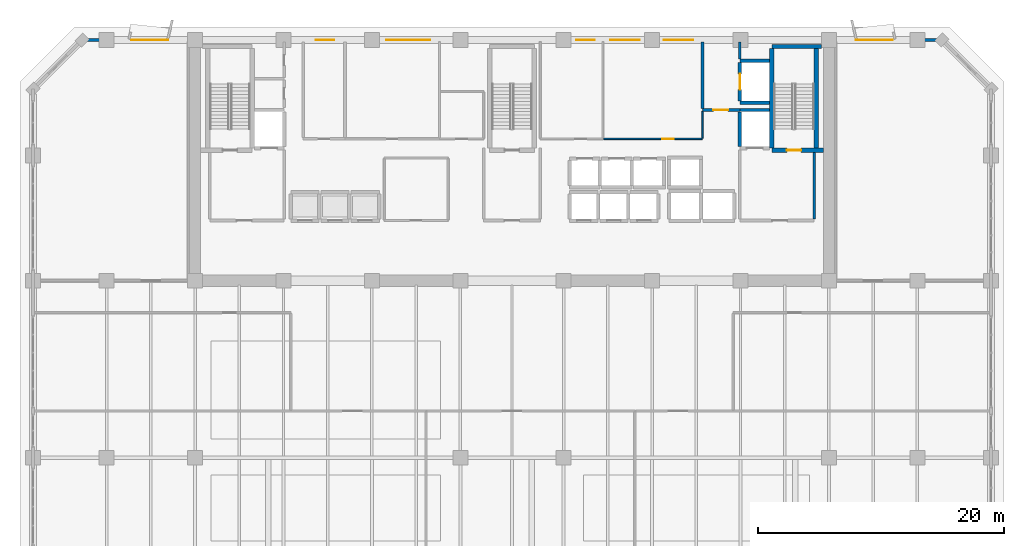
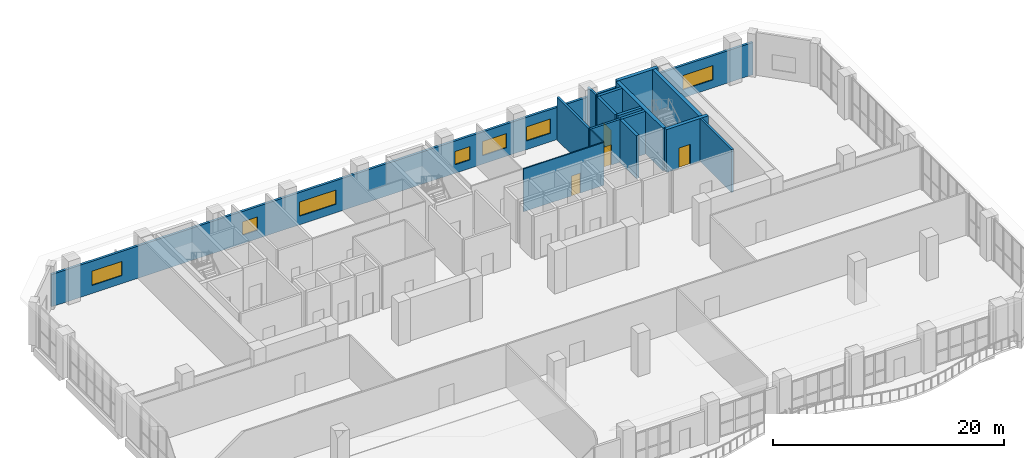
# One storey, part 32 of 37: 16 walls, 7 windows, 4 doors, 11 openings.
"""IFC4 building model written with IfcOpenShell, lengths in metres."""

from ifc_helpers import new_model, si_unit, direction, frame, frame_2d, origin, place, context, subcontext, project, spatial, rectangle, extrude, material, layer, layer_set, type_object, element, fill, save


model = new_model("IFC4")

# Units and contexts
model_context = context("Model", 3, precision=1e-05, world=origin(), true_north=direction((0.0, 1.0)))
body_context = subcontext(model_context, "Body", "Model", "MODEL_VIEW")
ifc_project = project(units=[si_unit("LENGTHUNIT", "METRE"), si_unit("AREAUNIT", "SQUARE_METRE"), si_unit("VOLUMEUNIT", "CUBIC_METRE"), si_unit("PLANEANGLEUNIT", "RADIAN"), si_unit("MASSUNIT", "GRAM", prefix="KILO")], contexts=[model_context])

# Site, building, storey
site_placement = place(None, origin())
site = spatial("IfcSite", under=ifc_project, at=site_placement, CompositionType="ELEMENT")
building_placement = place(site_placement, origin())
building = spatial("IfcBuilding", under=site, at=building_placement, Name="Kaelvorn Grand Hotel", CompositionType="ELEMENT")
storey_placement = place(building_placement, frame((0.0, 0.0, 224.35009765625)))
storey = spatial("IfcBuildingStorey", under=building, at=storey_placement, Name="L55", CompositionType="ELEMENT", Elevation=224.35009765625)

# Wall, openings, windows
ifc_material_1 = material(Name="Concrete C40/50", Category="concrete")
ifc_layer_1 = layer(ifc_material_1, 0.239990234375)
ifc_layer_set_1 = layer_set([ifc_layer_1], Name="Concrete C40/50")
wall_type_1 = type_object("IfcWallType", Name="WL-EXT-240-C40", PredefinedType="SOLIDWALL", material=ifc_layer_set_1)
wall_1_placement = place(storey_placement, frame((77.0, 49.0, 0.0), z_axis=(0.0, 0.0, 1.0), x_axis=(-1.0, 0.0, 0.0)))
wall_1 = element("IfcWall", 1, at=wall_1_placement, inside=storey, type_object=wall_type_1, Name="L55 Exterior Architectural Concrete Wall 05", PredefinedType="SOLIDWALL", context=body_context, shape_type="SweptSolid", body=[
    extrude(rectangle(XDim=70.0, YDim=0.239990234375, at=frame_2d((35.0, 0.0))), origin(), (0.0, 0.0, 1.0), 3.39990234375),
])
opening_1_placement = place(wall_1_placement, frame((62.97509765625, 0.0, 0.85009765625)))
opening_1 = element("IfcOpeningElement", 2, at=opening_1_placement, cuts=wall_1, Name="Opening W5", PredefinedType="OPENING", context=body_context, shape_type="SweptSolid", body=[
    extrude(rectangle(XDim=3.0, YDim=1.5, at=frame_2d((1.5, 0.75))), frame((0.0, 0.1298828125, 0.0), z_axis=(0.0, -1.0, 0.0), x_axis=(1.0, 0.0, 0.0)), (0.0, 0.0, 1.0), 0.260009765625),
])
opening_2_placement = place(wall_1_placement, frame((4.02490234375, 0.0, 0.85009765625)))
opening_2 = element("IfcOpeningElement", 3, at=opening_2_placement, cuts=wall_1, Name="Opening W5", PredefinedType="OPENING", context=body_context, shape_type="SweptSolid", body=[
    extrude(rectangle(XDim=3.0, YDim=1.5, at=frame_2d((1.5, 0.75))), frame((0.0, 0.1298828125, 0.0), z_axis=(0.0, -1.0, 0.0), x_axis=(1.0, 0.0, 0.0)), (0.0, 0.0, 1.0), 0.260009765625),
])
opening_3_placement = place(wall_1_placement, frame((49.465087890625, 0.0, 0.89990234375)))
opening_3 = element("IfcOpeningElement", 4, at=opening_3_placement, cuts=wall_1, Name="Opening W10", PredefinedType="OPENING", context=body_context, shape_type="SweptSolid", body=[
    extrude(rectangle(XDim=1.5, YDim=1.39990234375, at=frame_2d((0.75, 0.699951171875))), frame((0.0, 0.1298828125, 0.0), z_axis=(0.0, -1.0, 0.0), x_axis=(1.0, 0.0, 0.0)), (0.0, 0.0, 1.0), 0.260009765625),
])
opening_4_placement = place(wall_1_placement, frame((41.64990234375, 0.0, 0.89990234375)))
opening_4 = element("IfcOpeningElement", 5, at=opening_4_placement, cuts=wall_1, Name="Opening W3", PredefinedType="OPENING", context=body_context, shape_type="SweptSolid", body=[
    extrude(rectangle(XDim=3.60009765625, YDim=1.5, at=frame_2d((1.800048828125, 0.75))), frame((0.0, 0.1298828125, 0.0), z_axis=(0.0, -1.0, 0.0), x_axis=(1.0, 0.0, 0.0)), (0.0, 0.0, 1.0), 0.260009765625),
])
opening_5_placement = place(wall_1_placement, frame((28.25, 0.0, 0.89990234375)))
opening_5 = element("IfcOpeningElement", 6, at=opening_5_placement, cuts=wall_1, Name="Opening W10", PredefinedType="OPENING", context=body_context, shape_type="SweptSolid", body=[
    extrude(rectangle(XDim=1.5, YDim=1.39990234375, at=frame_2d((0.75, 0.699951171875))), frame((0.0, 0.1298828125, 0.0), z_axis=(0.0, -1.0, 0.0), x_axis=(1.0, 0.0, 0.0)), (0.0, 0.0, 1.0), 0.260009765625),
])
opening_6_placement = place(wall_1_placement, frame((24.60009765625, 0.0, 0.89990234375)))
opening_6 = element("IfcOpeningElement", 7, at=opening_6_placement, cuts=wall_1, Name="Opening W6", PredefinedType="OPENING", context=body_context, shape_type="SweptSolid", body=[
    extrude(rectangle(XDim=2.39990234375, YDim=1.5, at=frame_2d((1.199951171875, 0.75))), frame((0.0, 0.1298828125, 0.0), z_axis=(0.0, -1.0, 0.0), x_axis=(1.0, 0.0, 0.0)), (0.0, 0.0, 1.0), 0.260009765625),
])
opening_7_placement = place(wall_1_placement, frame((20.235107421875, 0.0, 0.89990234375)))
opening_7 = element("IfcOpeningElement", 8, at=opening_7_placement, cuts=wall_1, Name="Opening W6", PredefinedType="OPENING", context=body_context, shape_type="SweptSolid", body=[
    extrude(rectangle(XDim=2.39990234375, YDim=1.5, at=frame_2d((1.199951171875, 0.75))), frame((0.0, 0.1298828125, 0.0), z_axis=(0.0, -1.0, 0.0), x_axis=(1.0, 0.0, 0.0)), (0.0, 0.0, 1.0), 0.260009765625),
])
ifc_material_2 = material(Name="Laminated Low-E Glass", Category="glass")
window_type_1 = type_object("IfcWindowType", Name="WIN-COR-1500x1400", PartitioningType="SINGLE_PANEL", PredefinedType="WINDOW", material=ifc_material_2)
window_1_placement = place(opening_3_placement, origin())
window_1 = element("IfcWindow", 9, at=window_1_placement, inside=storey, type_object=window_type_1, Name="L55 North Core Clerestory Ribbon Window NC03", OverallHeight=1.39990234375, OverallWidth=1.5, PartitioningType="SINGLE_PANEL", PredefinedType="WINDOW", context=body_context, shape_type="SweptSolid", body=[
    extrude(rectangle(XDim=1.5, YDim=1.39990234375, at=frame_2d((0.75, 0.699951171875))), frame((0.0, 0.030029296875, 0.0), z_axis=(0.0, -1.0, 0.0), x_axis=(1.0, 0.0, 0.0)), (0.0, 0.0, 1.0), 0.06005859375),
])
fill(opening_3, window_1)
window_2_placement = place(opening_5_placement, origin())
window_2 = element("IfcWindow", 10, at=window_2_placement, inside=storey, type_object=window_type_1, Name="L55 North Core Clerestory Ribbon Window NC05", OverallHeight=1.39990234375, OverallWidth=1.5, PartitioningType="SINGLE_PANEL", PredefinedType="WINDOW", context=body_context, shape_type="SweptSolid", body=[
    extrude(rectangle(XDim=1.5, YDim=1.39990234375, at=frame_2d((0.75, 0.699951171875))), frame((0.0, 0.030029296875, 0.0), z_axis=(0.0, -1.0, 0.0), x_axis=(1.0, 0.0, 0.0)), (0.0, 0.0, 1.0), 0.06005859375),
])
fill(opening_5, window_2)
window_type_2 = type_object("IfcWindowType", Name="WIN-NTH-2400x1500", PartitioningType="SINGLE_PANEL", PredefinedType="WINDOW", material=ifc_material_2)
window_3_placement = place(opening_6_placement, origin())
window_3 = element("IfcWindow", 11, at=window_3_placement, inside=storey, type_object=window_type_2, Name="L55 North Core Clerestory Ribbon Window NC06", OverallHeight=1.5, OverallWidth=2.39990234375, PartitioningType="SINGLE_PANEL", PredefinedType="WINDOW", context=body_context, shape_type="SweptSolid", body=[
    extrude(rectangle(XDim=2.39990234375, YDim=1.5, at=frame_2d((1.199951171875, 0.75))), frame((0.0, 0.030029296875, 0.0), z_axis=(0.0, -1.0, 0.0), x_axis=(1.0, 0.0, 0.0)), (0.0, 0.0, 1.0), 0.06005859375),
])
fill(opening_6, window_3)
window_4_placement = place(opening_7_placement, origin())
window_4 = element("IfcWindow", 12, at=window_4_placement, inside=storey, type_object=window_type_2, Name="L55 North Core Clerestory Ribbon Window NC07", OverallHeight=1.5, OverallWidth=2.39990234375, PartitioningType="SINGLE_PANEL", PredefinedType="WINDOW", context=body_context, shape_type="SweptSolid", body=[
    extrude(rectangle(XDim=2.39990234375, YDim=1.5, at=frame_2d((1.199951171875, 0.75))), frame((0.0, 0.030029296875, 0.0), z_axis=(0.0, -1.0, 0.0), x_axis=(1.0, 0.0, 0.0)), (0.0, 0.0, 1.0), 0.06005859375),
])
fill(opening_7, window_4)
window_type_3 = type_object("IfcWindowType", Name="WIN-NTH-3000x1500", PartitioningType="SINGLE_PANEL", PredefinedType="WINDOW", material=ifc_material_2)
window_5_placement = place(opening_1_placement, origin())
window_5 = element("IfcWindow", 13, at=window_5_placement, inside=storey, type_object=window_type_3, Name="L55 North Wing Ribbon Window NW01", OverallHeight=1.5, OverallWidth=3.0, PartitioningType="SINGLE_PANEL", PredefinedType="WINDOW", context=body_context, shape_type="SweptSolid", body=[
    extrude(rectangle(XDim=3.0, YDim=1.5, at=frame_2d((1.5, 0.75))), frame((0.0, 0.030029296875, 0.0), z_axis=(0.0, -1.0, 0.0), x_axis=(1.0, 0.0, 0.0)), (0.0, 0.0, 1.0), 0.06005859375),
])
fill(opening_1, window_5)
window_6_placement = place(opening_2_placement, origin())
window_6 = element("IfcWindow", 14, at=window_6_placement, inside=storey, type_object=window_type_3, Name="L55 North Wing Ribbon Window NW02", OverallHeight=1.5, OverallWidth=3.0, PartitioningType="SINGLE_PANEL", PredefinedType="WINDOW", context=body_context, shape_type="SweptSolid", body=[
    extrude(rectangle(XDim=3.0, YDim=1.5, at=frame_2d((1.5, 0.75))), frame((0.0, 0.030029296875, 0.0), z_axis=(0.0, -1.0, 0.0), x_axis=(1.0, 0.0, 0.0)), (0.0, 0.0, 1.0), 0.06005859375),
])
fill(opening_2, window_6)
window_type_4 = type_object("IfcWindowType", Name="WIN-RIB-3600x1750", PartitioningType="SINGLE_PANEL", PredefinedType="WINDOW", material=ifc_material_2)
window_7_placement = place(opening_4_placement, origin())
window_7 = element("IfcWindow", 15, at=window_7_placement, inside=storey, type_object=window_type_4, Name="L55 North Core Clerestory Ribbon Window NC04", OverallHeight=1.5, OverallWidth=3.60009765625, PartitioningType="SINGLE_PANEL", PredefinedType="WINDOW", context=body_context, shape_type="SweptSolid", body=[
    extrude(rectangle(XDim=3.60009765625, YDim=1.5, at=frame_2d((1.800048828125, 0.75))), frame((0.0, 0.030029296875, 0.0), z_axis=(0.0, -1.0, 0.0), x_axis=(1.0, 0.0, 0.0)), (0.0, 0.0, 1.0), 0.06005859375),
])
fill(opening_4, window_7)

# Wall, opening, door
ifc_material_3 = material(Name="Moisture-Resistant Tile & Stud Board")
ifc_layer_2 = layer(ifc_material_3, 0.125)
ifc_layer_set_2 = layer_set([ifc_layer_2], Name="Moisture-Resistant Tile & Stud Board")
wall_type_2 = type_object("IfcWallType", Name="WL-PART-125-WET", PredefinedType="PARTITIONING", material=ifc_layer_set_2)
wall_2_placement = place(storey_placement, frame((49.467529296875, 40.949951171875, 0.0), z_axis=(0.0, 0.0, 1.0), x_axis=(1.0, 0.0, 0.0)))
wall_2 = element("IfcWall", 16, at=wall_2_placement, inside=storey, type_object=wall_type_2, Name="L55 Female Toilets S Partition", PredefinedType="PARTITIONING", context=body_context, shape_type="SweptSolid", body=[
    extrude(rectangle(XDim=8.032470703125, YDim=0.125, at=frame_2d((4.01611328125, 0.0))), origin(), (0.0, 0.0, 1.0), 4.52001953125),
])
opening_8_placement = place(wall_2_placement, frame((4.782470703125, 0.0, 0.0)))
opening_8 = element("IfcOpeningElement", 17, at=opening_8_placement, cuts=wall_2, Name="Opening DI4", PredefinedType="OPENING", context=body_context, shape_type="SweptSolid", body=[
    extrude(rectangle(XDim=0.89990234375, YDim=2.10009765625, at=frame_2d((0.449951171875, 1.050048828125))), frame((0.0, 0.072509765625, 0.0), z_axis=(0.0, -1.0, 0.0), x_axis=(1.0, 0.0, 0.0)), (0.0, 0.0, 1.0), 0.14501953125),
])
ifc_material_4 = material(Name="Timber Veneer Leaf", Category="wood")
door_type_1 = type_object("IfcDoorType", Name="DR-INT-BATH-900x2100", OperationType="NOTDEFINED", PredefinedType="DOOR", material=ifc_material_4)
door_1_placement = place(opening_8_placement, origin())
door_1 = element("IfcDoor", 18, at=door_1_placement, inside=storey, type_object=door_type_1, Name="L55 Female Toilets Door", OperationType="SINGLE_SWING_RIGHT", OverallHeight=2.10009765625, OverallWidth=0.89990234375, PredefinedType="DOOR", context=body_context, shape_type="SweptSolid", body=[
    extrude(rectangle(XDim=0.89990234375, YDim=2.10009765625, at=frame_2d((0.449951171875, 1.050048828125))), frame((0.0, 0.02490234375, 0.0), z_axis=(0.0, -1.0, 0.0), x_axis=(1.0, 0.0, 0.0)), (0.0, 0.0, 1.0), 0.050048828125),
])
fill(opening_8, door_1)

# Walls
wall_3_placement = place(storey_placement, frame((57.5, 41.017578125, 0.0), z_axis=(0.0, 0.0, 1.0), x_axis=(0.0, 1.0, 0.0)))
element("IfcWall", 19, at=wall_3_placement, inside=storey, type_object=wall_type_2, Name="L55 Female Toilets E Partition", PredefinedType="PARTITIONING", context=body_context, shape_type="SweptSolid", body=[
    extrude(rectangle(XDim=2.16748046875, YDim=0.125, at=frame_2d((1.083740234375, 0.0))), origin(), (0.0, 0.0, 1.0), 4.52001953125),
])
ifc_layer_3 = layer(ifc_material_1, 0.219970703125)
ifc_layer_set_3 = layer_set([ifc_layer_3], Name="Concrete C40/50")
wall_type_3 = type_object("IfcWallType", Name="WL-PART-220-EI120", PredefinedType="PARTITIONING", material=ifc_layer_set_3)
wall_4_placement = place(storey_placement, frame((66.60009765625, 34.4150390625, 0.0), z_axis=(0.0, 0.0, 1.0), x_axis=(0.0, 1.0, 0.0)))
element("IfcWall", 20, at=wall_4_placement, inside=storey, type_object=wall_type_3, Name="L55 Firefighting Lift Lobby 2 E Partition", PredefinedType="PARTITIONING", context=body_context, shape_type="SweptSolid", body=[
    extrude(rectangle(XDim=5.429931640625, YDim=0.219970703125, at=frame_2d((2.71484375, 0.0))), origin(), (0.0, 0.0, 1.0), 4.52001953125),
])

# Wall, opening, door
wall_5_placement = place(storey_placement, frame((57.5, 43.300048828125, 0.0), z_axis=(0.0, 0.0, 1.0), x_axis=(1.0, 0.0, 0.0)))
wall_5 = element("IfcWall", 21, at=wall_5_placement, inside=storey, type_object=wall_type_3, Name="L55 Service Lift Lobby S Partition", PredefinedType="PARTITIONING", context=body_context, shape_type="SweptSolid", body=[
    extrude(rectangle(XDim=3.0400390625, YDim=0.219970703125, at=frame_2d((1.52001953125, 0.0))), origin(), (0.0, 0.0, 1.0), 4.52001953125),
])
opening_9_placement = place(wall_5_placement, frame((0.89990234375, 0.0, 0.0)))
opening_9 = element("IfcOpeningElement", 22, at=opening_9_placement, cuts=wall_5, Name="Opening DI2", PredefinedType="OPENING", context=body_context, shape_type="SweptSolid", body=[
    extrude(rectangle(XDim=1.199951171875, YDim=2.14990234375, at=frame_2d((0.60009765625, 1.074951171875))), frame((0.0, 0.1201171875, 0.0), z_axis=(0.0, -1.0, 0.0), x_axis=(1.0, 0.0, 0.0)), (0.0, 0.0, 1.0), 0.239990234375),
])
ifc_material_5 = material(Name="Timber Veneer Fire Leaf", Category="wood")
door_type_2 = type_object("IfcDoorType", Name="DR-INT-FFLOB-1200x2150", OperationType="NOTDEFINED", PredefinedType="DOOR", material=ifc_material_5)
door_2_placement = place(opening_9_placement, origin())
door_2 = element("IfcDoor", 23, at=door_2_placement, inside=storey, type_object=door_type_2, Name="L55 Service Lift Lobby Door", OperationType="SINGLE_SWING_RIGHT", OverallHeight=2.14990234375, OverallWidth=1.199951171875, PredefinedType="DOOR", context=body_context, shape_type="SweptSolid", body=[
    extrude(rectangle(XDim=1.199951171875, YDim=2.14990234375, at=frame_2d((0.60009765625, 1.074951171875))), frame((0.0, 0.02490234375, 0.0), z_axis=(0.0, -1.0, 0.0), x_axis=(1.0, 0.0, 0.0)), (0.0, 0.0, 1.0), 0.050048828125),
])
fill(opening_9, door_2)

# Walls
wall_6_placement = place(storey_placement, frame((57.5, 43.4150390625, 0.0), z_axis=(0.0, 0.0, 1.0), x_axis=(0.0, 1.0, 0.0)))
element("IfcWall", 24, at=wall_6_placement, inside=storey, type_object=wall_type_3, Name="L55 Service Lift Lobby W Partition", PredefinedType="PARTITIONING", context=body_context, shape_type="SweptSolid", body=[
    extrude(rectangle(XDim=5.43505859375, YDim=0.219970703125, at=frame_2d((2.717529296875, 0.0))), origin(), (0.0, 0.0, 1.0), 4.52001953125),
])
wall_7_placement = place(storey_placement, frame((60.550048828125, 47.445068359375, 0.0), z_axis=(0.0, 0.0, 1.0), x_axis=(0.0, 1.0, 0.0)))
element("IfcWall", 25, at=wall_7_placement, inside=storey, type_object=wall_type_3, Name="L55 Service Lift Lobby E Partition", PredefinedType="PARTITIONING", context=body_context, shape_type="SweptSolid", body=[
    extrude(rectangle(XDim=1.405029296875, YDim=0.219970703125, at=frame_2d((0.70263671875, 0.0))), origin(), (0.0, 0.0, 1.0), 4.52001953125),
])
ifc_material_6 = material(Name="Concrete C50/60", Category="concrete")
ifc_layer_4 = layer(ifc_material_6, 0.280029296875)
ifc_layer_set_4 = layer_set([ifc_layer_4], Name="Concrete C50/60")
wall_type_4 = type_object("IfcWallType", Name="WL-SHAFT-280-C50", PredefinedType="SHEAR", material=ifc_layer_set_4)
wall_8_placement = place(storey_placement, frame((60.550048828125, 43.300048828125, 0.0), z_axis=(0.0, 0.0, 1.0), x_axis=(1.0, 0.0, 0.0)))
element("IfcWall", 26, at=wall_8_placement, inside=storey, type_object=wall_type_4, Name="L55 Lift FFL2 Shaft North Wall", PredefinedType="SHEAR", context=body_context, shape_type="SweptSolid", body=[
    extrude(rectangle(XDim=2.4150390625, YDim=0.280029296875, at=frame_2d((1.20751953125, 0.0))), origin(), (0.0, 0.0, 1.0), 4.52001953125),
])
wall_9_placement = place(storey_placement, frame((60.550048828125, 40.344970703125, 0.0), z_axis=(0.0, 0.0, 1.0), x_axis=(0.0, 1.0, 0.0)))
element("IfcWall", 27, at=wall_9_placement, inside=storey, type_object=wall_type_4, Name="L55 Lift FFL2 Shaft West Wall", PredefinedType="SHEAR", context=body_context, shape_type="SweptSolid", body=[
    extrude(rectangle(XDim=2.81005859375, YDim=0.280029296875, at=frame_2d((1.405029296875, 0.0))), origin(), (0.0, 0.0, 1.0), 4.52001953125),
])
for number, where, z_axis, x_axis, name in (
    (28, (60.550048828125, 43.89990234375, 0.0), (0.0, 0.0, 1.0), (1.0, 0.0, 0.0), "L55 Lift SV1 Shaft South Wall"),
    (29, (60.550048828125, 47.300048828125, 0.0), (0.0, 0.0, 1.0), (1.0, 0.0, 0.0), "L55 Lift SV1 Shaft North Wall"),
):
    element("IfcWall", number, at=place(storey_placement, frame(where, z_axis=z_axis, x_axis=x_axis)), inside=storey, type_object=wall_type_4, Name=name, PredefinedType="SHEAR", context=body_context, shape_type="SweptSolid", body=[
        extrude(rectangle(XDim=2.4150390625, YDim=0.280029296875, at=frame_2d((1.20751953125, 0.0))), origin(), (0.0, 0.0, 1.0), 4.52001953125),
    ])

# Wall, opening, door
wall_10_placement = place(storey_placement, frame((60.550048828125, 44.044921875, 0.0), z_axis=(0.0, 0.0, 1.0), x_axis=(0.0, 1.0, 0.0)))
wall_10 = element("IfcWall", 30, at=wall_10_placement, inside=storey, type_object=wall_type_4, Name="L55 Lift SV1 Shaft West Wall", PredefinedType="SHEAR", context=body_context, shape_type="SweptSolid", body=[
    extrude(rectangle(XDim=3.110107421875, YDim=0.280029296875, at=frame_2d((1.55517578125, 0.0))), origin(), (0.0, 0.0, 1.0), 4.52001953125),
])
opening_10_placement = place(wall_10_placement, frame((0.905029296875, 0.0, 0.0)))
opening_10 = element("IfcOpeningElement", 31, at=opening_10_placement, cuts=wall_10, Name="Opening LD-SV1", PredefinedType="OPENING", context=body_context, shape_type="SweptSolid", body=[
    extrude(rectangle(XDim=1.300048828125, YDim=2.300048828125, at=frame_2d((0.64990234375, 1.14990234375))), frame((0.0, 0.14990234375, 0.0), z_axis=(0.0, -1.0, 0.0), x_axis=(1.0, 0.0, 0.0)), (0.0, 0.0, 1.0), 0.300048828125),
])
ifc_material_7 = material(Name="Stainless Steel", Category="steel")
door_type_3 = type_object("IfcDoorType", Name="DR-LIFT-SERV-1300x2300", OperationType="DOUBLE_DOOR_SLIDING", PredefinedType="DOOR", material=ifc_material_7)
door_3_placement = place(opening_10_placement, origin())
door_3 = element("IfcDoor", 32, at=door_3_placement, inside=storey, type_object=door_type_3, Name="L55 Lift SV1 Sliding Landing Door LD-SV1", OperationType="DOUBLE_DOOR_SLIDING", OverallHeight=2.300048828125, OverallWidth=1.300048828125, PredefinedType="DOOR", context=body_context, shape_type="SweptSolid", body=[
    extrude(rectangle(XDim=1.300048828125, YDim=2.300048828125, at=frame_2d((0.64990234375, 1.14990234375))), frame((0.0, 0.02490234375, 0.0), z_axis=(0.0, -1.0, 0.0), x_axis=(1.0, 0.0, 0.0)), (0.0, 0.0, 1.0), 0.050048828125),
])
fill(opening_10, door_3)

ifc_material_8 = material(Name="Concrete C60/75", Category="concrete")
ifc_layer_5 = layer(ifc_material_8, 0.35009765625)
ifc_layer_set_5 = layer_set([ifc_layer_5], Name="Concrete C60/75")
wall_type_5 = type_object("IfcWallType", Name="WL-SHAFT-350-C60", PredefinedType="SHEAR", material=ifc_layer_set_5)
wall_11_placement = place(storey_placement, frame((63.14501953125, 40.02490234375, 0.0), z_axis=(0.0, 0.0, 1.0), x_axis=(1.0, 0.0, 0.0)))
wall_11 = element("IfcWall", 33, at=wall_11_placement, inside=storey, type_object=wall_type_5, Name="L55 ST3 Stair Shaft South Wall", PredefinedType="SHEAR", context=body_context, shape_type="SweptSolid", body=[
    extrude(rectangle(XDim=4.199951171875, YDim=0.35009765625, at=frame_2d((2.10009765625, 0.0))), origin(), (0.0, 0.0, 1.0), 4.52001953125),
])
opening_11_placement = place(wall_11_placement, frame((1.239990234375, 0.0, 0.0)))
opening_11 = element("IfcOpeningElement", 34, at=opening_11_placement, cuts=wall_11, Name="Opening DI1", PredefinedType="OPENING", context=body_context, shape_type="SweptSolid", body=[
    extrude(rectangle(XDim=1.14990234375, YDim=2.14990234375, at=frame_2d((0.574951171875, 1.074951171875))), frame((0.0, 0.18505859375, 0.0), z_axis=(0.0, -1.0, 0.0), x_axis=(1.0, 0.0, 0.0)), (0.0, 0.0, 1.0), 0.3701171875),
])
door_type_4 = type_object("IfcDoorType", Name="DR-INT-STAIR-1150x2150", OperationType="NOTDEFINED", PredefinedType="DOOR", material=ifc_material_5)
door_4_placement = place(opening_11_placement, origin())
door_4 = element("IfcDoor", 35, at=door_4_placement, inside=storey, type_object=door_type_4, Name="L55 ST3 Exit Stair Fire Door", OperationType="SINGLE_SWING_RIGHT", OverallHeight=2.14990234375, OverallWidth=1.14990234375, PredefinedType="DOOR", context=body_context, shape_type="SweptSolid", body=[
    extrude(rectangle(XDim=1.14990234375, YDim=2.14990234375, at=frame_2d((0.574951171875, 1.074951171875))), frame((0.0, 0.02490234375, 0.0), z_axis=(0.0, -1.0, 0.0), x_axis=(1.0, 0.0, 0.0)), (0.0, 0.0, 1.0), 0.050048828125),
])
fill(opening_11, door_4)

# Walls
wall_12_placement = place(storey_placement, frame((63.14501953125, 48.47509765625, 0.0), z_axis=(0.0, 0.0, 1.0), x_axis=(1.0, 0.0, 0.0)))
element("IfcWall", 36, at=wall_12_placement, inside=storey, type_object=wall_type_5, Name="L55 ST3 Stair Shaft North Wall", PredefinedType="SHEAR", context=body_context, shape_type="SweptSolid", body=[
    extrude(rectangle(XDim=4.050048828125, YDim=0.35009765625, at=frame_2d((2.02490234375, 0.0))), origin(), (0.0, 0.0, 1.0), 4.52001953125),
])
for number, where, z_axis, x_axis, name in (
    (37, (63.14501953125, 40.205078125, 0.0), (0.0, 0.0, 1.0), (0.0, 1.0, 0.0), "L55 ST3 Stair Shaft West Wall"),
    (38, (66.77490234375, 40.205078125, 0.0), (0.0, 0.0, 1.0), (0.0, 1.0, 0.0), "L55 ST3 Stair Shaft East Wall"),
):
    element("IfcWall", number, at=place(storey_placement, frame(where, z_axis=z_axis, x_axis=x_axis)), inside=storey, type_object=wall_type_5, Name=name, PredefinedType="SHEAR", context=body_context, shape_type="SweptSolid", body=[
        extrude(rectangle(XDim=8.08984375, YDim=0.35009765625, at=frame_2d((4.044921875, 0.0))), origin(), (0.0, 0.0, 1.0), 4.52001953125),
    ])

save(model, "model.ifc")
